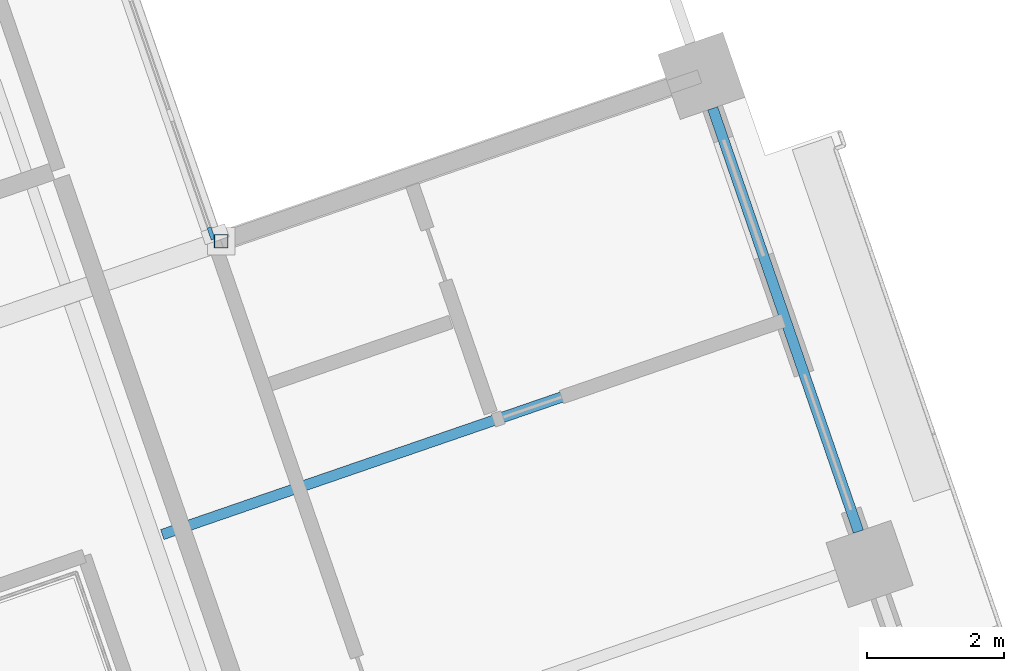
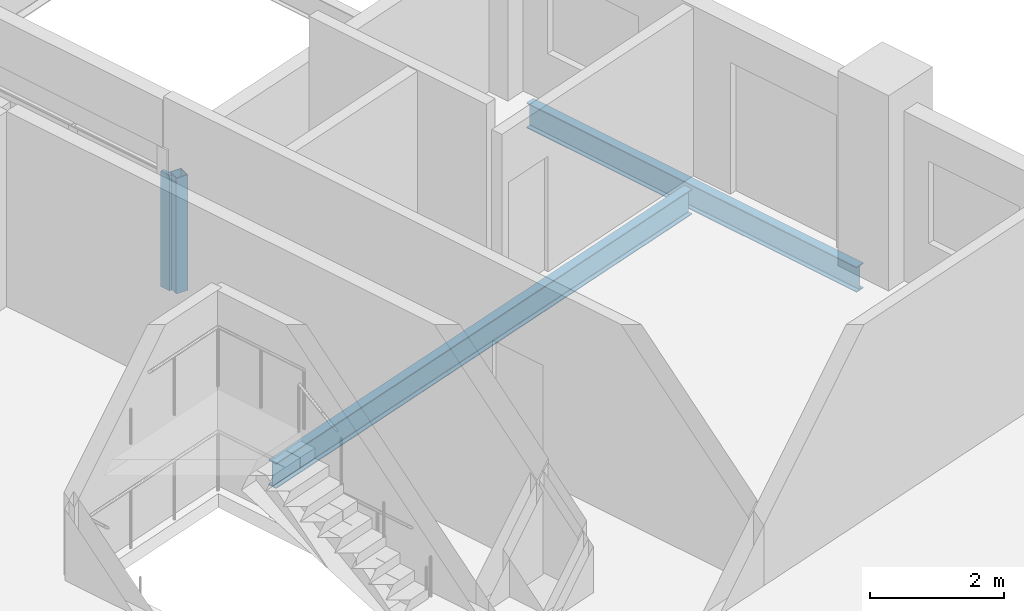
# One storey, part 2 of 19: 2 beams, 2 members, 1 element without a shape of its own.
"""IFC4 building model written with IfcOpenShell, lengths in metres."""

from ifc_helpers import new_model, si_unit, direction, frame, origin, origin_2d, place, context, subcontext, project, spatial, rectangle, hollow_rectangle, i_section, extrude, material, material_profile, profile_set, type_object, element, aggregate, save


model = new_model("IFC4")

# Units and contexts
model_context = context("Model", 3, precision=1e-05, world=origin(), true_north=direction((0.0, 1.0)))
body_context = subcontext(model_context, "Body", "Model", "MODEL_VIEW")
ifc_project = project(units=[si_unit("LENGTHUNIT", "METRE"), si_unit("AREAUNIT", "SQUARE_METRE"), si_unit("VOLUMEUNIT", "CUBIC_METRE"), si_unit("PLANEANGLEUNIT", "RADIAN"), si_unit("MASSUNIT", "GRAM", prefix="KILO")], contexts=[model_context])

# Site, building, storey
site_placement = place(None, origin())
site = spatial("IfcSite", under=ifc_project, at=site_placement, CompositionType="ELEMENT")
building_placement = place(site_placement, origin())
building = spatial("IfcBuilding", under=site, at=building_placement, Name="Cantera Rosa Tower", CompositionType="ELEMENT")
storey_placement = place(building_placement, frame((0.0, 0.0, 126.89990234375)))
storey = spatial("IfcBuildingStorey", under=building, at=storey_placement, Name="L26", CompositionType="ELEMENT", Elevation=126.89990234375)

# Curtain wall, member
ifc_material_1 = material(Name="Aluminium frame with clear glass", Category="aluminium")
curtain_wall_type = type_object("IfcCurtainWallType", Name="CW1 TERRACE POCKET GLAZING", PredefinedType="NOTDEFINED", material=ifc_material_1)
curtain_wall_placement = place(storey_placement, origin())
curtain_wall = element("IfcCurtainWall", 1, at=curtain_wall_placement, inside=storey, type_object=curtain_wall_type, Name="CW1 CW1", PredefinedType="NOTDEFINED")
ifc_material_2 = material(Name="Anodised bronze aluminium", Category="aluminium")
ifc_material_profile_1 = material_profile(ifc_material_2, rectangle(XDim=0.06005859375, YDim=0.179931640625, at=origin_2d()), Name="CW-MULLION 60x180 POCKET")
ifc_profile_set_1 = profile_set([ifc_material_profile_1], Name="Anodised bronze aluminium")
member_type_1 = type_object("IfcMemberType", Name="CW-MULLION 60x180 POCKET", PredefinedType="MULLION", material=ifc_profile_set_1)
member_1_placement = place(storey_placement, frame((18.85498046875, 2.679443359375, 0.0), z_axis=(0.0, 0.0, 1.0), x_axis=(-0.945518575605, -0.325568154441, 0.0)))
member_1 = element("IfcMember", 2, at=member_1_placement, type_object=member_type_1, Name="CW1 mullion 1", PredefinedType="MULLION", context=body_context, shape_type="SweptSolid", body=[
    extrude(rectangle(XDim=0.06005859375, YDim=0.179931640625, at=origin_2d()), origin(), (0.0, 0.0, 1.0), 2.10400390625),
])
aggregate(curtain_wall, [member_1])

# Member
ifc_material_3 = material(Name="Steel ASTM A992 (Fy 345 MPa)", Category="steel")
ifc_material_profile_2 = material_profile(ifc_material_3, hollow_rectangle(XDim=0.199951171875, YDim=0.199951171875, WallThickness=0.010009765625, at=origin_2d()), Name="LINTEL POST RHS 200x200x10")
ifc_profile_set_2 = profile_set([ifc_material_profile_2], Name="Steel ASTM A992 (Fy 345 MPa)")
member_type_2 = type_object("IfcMemberType", Name="LINTEL POST RHS 200x200x10", PredefinedType="USERDEFINED", material=ifc_profile_set_2)
member_2_placement = place(storey_placement, frame((19.0, 2.5654296875, 0.0), z_axis=(0.0, 0.0, 1.0), x_axis=(1.0, 0.0, 0.0)))
element("IfcMember", 3, at=member_2_placement, inside=storey, type_object=member_type_2, Name="LINTEL POST L26-1", ObjectType="LINTEL POST", PredefinedType="USERDEFINED", context=body_context, shape_type="SweptSolid", body=[
    extrude(hollow_rectangle(XDim=0.199951171875, YDim=0.199951171875, WallThickness=0.010009765625, at=origin_2d()), origin(), (0.0, 0.0, 1.0), 2.106201171875),
])

# Beams
ifc_material_4 = material(Name="Steel ASTM A992 (Fy 345 MPa)", Category="steel")
ifc_material_profile_3 = material_profile(ifc_material_4, i_section(OverallWidth=0.154052734375, OverallDepth=0.4599609375, WebThickness=0.009033203125, FlangeThickness=0.015380859375, FilletRadius=0.01025390625, at=origin_2d()), Name="W460X68")
ifc_profile_set_3 = profile_set([ifc_material_profile_3], Name="Steel ASTM A992 (Fy 345 MPa)")
beam_type_1 = type_object("IfcBeamType", Name="STEEL JOIST W460X68", PredefinedType="JOIST", material=ifc_profile_set_3)
beam_1_placement = place(storey_placement, frame((27.0791015625, 1.370849609375, -0.47998046875), z_axis=(-0.945518943957, -0.325567084667, 0.0), x_axis=(0.325567084667, -0.945518943957, 0.0)))
element("IfcBeam", 4, at=beam_1_placement, inside=storey, type_object=beam_type_1, Name="B-Z2-02 L26", PredefinedType="JOIST", context=body_context, shape_type="SweptSolid", body=[
    extrude(i_section(OverallWidth=0.154052734375, OverallDepth=0.4599609375, WebThickness=0.009033203125, FlangeThickness=0.015380859375, FilletRadius=0.01025390625, at=origin_2d()), origin(), (0.0, 0.0, 1.0), 9.4501953125),
])
ifc_material_5 = material(Name="Steel ASTM A992 (Fy 345 MPa)", Category="steel")
ifc_material_profile_4 = material_profile(ifc_material_5, i_section(OverallWidth=0.154052734375, OverallDepth=0.4599609375, WebThickness=0.009033203125, FlangeThickness=0.015380859375, FilletRadius=0.01025390625, at=origin_2d()), Name="W460X68")
ifc_profile_set_4 = profile_set([ifc_material_profile_4], Name="Steel ASTM A992 (Fy 345 MPa)")
beam_type_2 = type_object("IfcBeamType", Name="STEEL SPANDREL BEAM W460X68", PredefinedType="SPANDREL", material=ifc_profile_set_4)
beam_2_placement = place(storey_placement, frame((28.2822265625, -1.662841796875, -0.47998046875), z_axis=(-0.325580990241, 0.945514155787, 0.0), x_axis=(-0.945514155787, -0.325580990241, 0.0)))
element("IfcBeam", 5, at=beam_2_placement, inside=storey, type_object=beam_type_2, Name="EB-Z2-02 L26", PredefinedType="SPANDREL", context=body_context, shape_type="SweptSolid", body=[
    extrude(i_section(OverallWidth=0.154052734375, OverallDepth=0.4599609375, WebThickness=0.009033203125, FlangeThickness=0.015380859375, FilletRadius=0.01025390625, at=origin_2d()), origin(), (0.0, 0.0, 1.0), 6.52001953125),
])

save(model, "model.ifc")
